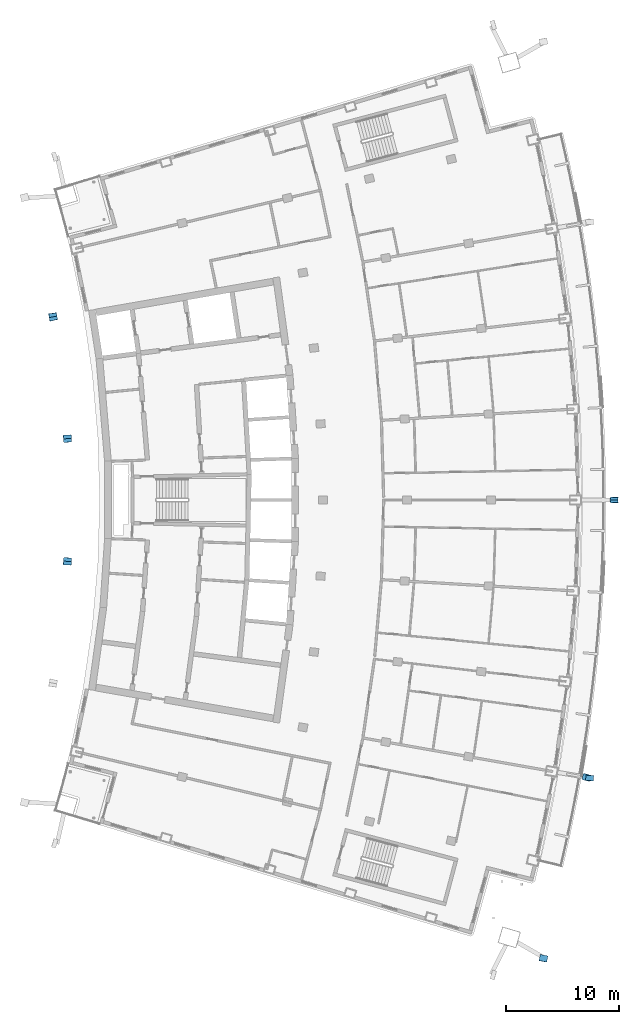
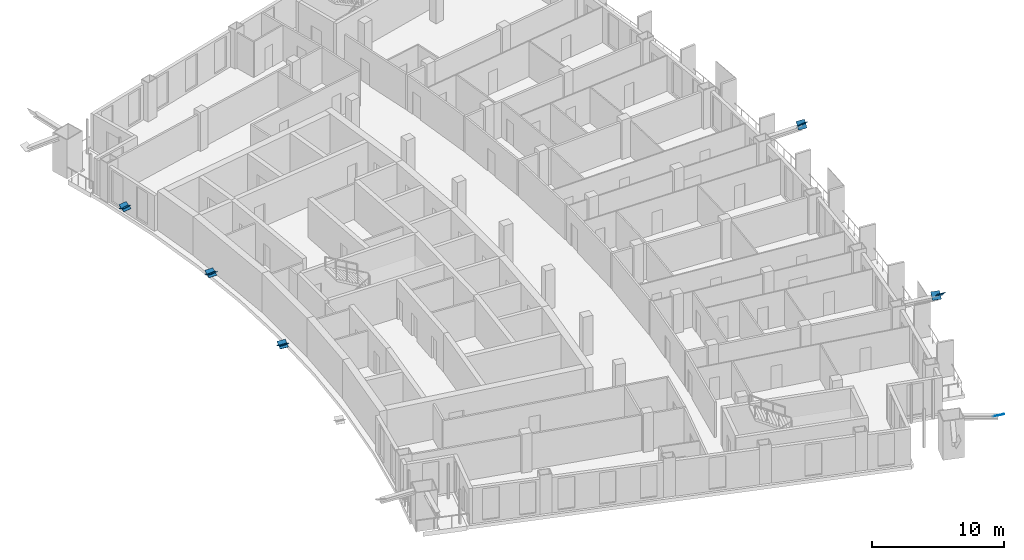
# One storey, part 17 of 21: 11 discrete accessories.
"""IFC4 building model written with IfcOpenShell, lengths in metres."""

import ifcopenshell
import ifcopenshell.guid

model = None  # the IFC model being written
_history = None  # IfcOwnerHistory: only IFC2X3 demands one
_inside = {}  # id of a spatial element -> (the spatial element, [elements in it])
_under = {}  # id of a project, library or spatial element -> (it, [spatial elements below it])
_declared = {}  # id of a project -> (the project, [libraries it declares])
_typed = {}  # id of a type object -> (the type object, [elements of that type])
_made_of = {}  # id of a material, layer set ... -> (it, [elements and type objects made of it])


def new_model(schema):
    """Start an empty IFC model of exactly this schema.

    Asked for "IFC4X3", IfcOpenShell would pick the latest addendum, in which some entities
    have other attributes; the version numbers below select the first issue.
    IFC2X3 requires an IfcOwnerHistory on every rooted entity: one is made here for all.
    """
    global model, _history
    if schema == "IFC4X3":
        model = ifcopenshell.file(schema_version=(4, 3, 0, 0))
    else:
        model = ifcopenshell.file(schema=schema)
    _inside.clear()
    _under.clear()
    _declared.clear()
    _typed.clear()
    _made_of.clear()
    _history = None
    if model.schema == "IFC2X3":
        org = make("IfcOrganization", Name="unknown")
        user = make(
            "IfcPersonAndOrganization",
            ThePerson=make("IfcPerson", FamilyName="unknown"),
            TheOrganization=org,
        )
        app = make(
            "IfcApplication",
            ApplicationDeveloper=org,
            Version="unknown",
            ApplicationFullName="unknown",
            ApplicationIdentifier="unknown",
        )
        _history = make(
            "IfcOwnerHistory",
            OwningUser=user,
            OwningApplication=app,
            ChangeAction="ADDED",
            CreationDate=0,
        )
    return model


def make(cls, **values):
    """One entity of the class cls with the attributes given. An attribute that is None is left unset."""
    return model.create_entity(
        cls, **{name: value for name, value in values.items() if value is not None}
    )


def rooted(cls, **values):
    """An entity with a GlobalId (a new one), such as an element, a storey or a relation."""
    return make(cls, GlobalId=ifcopenshell.guid.new(), OwnerHistory=_history, **values)


def si_unit(unit_type, name, prefix=None):
    """IfcSIUnit, for example si_unit("LENGTHUNIT", "METRE", prefix="MILLI")."""
    return make("IfcSIUnit", UnitType=unit_type, Prefix=prefix, Name=name)


def assignment(units):
    """IfcUnitAssignment: the units of a project."""
    return None if units is None else make("IfcUnitAssignment", Units=units)


def point(xyz):
    """IfcCartesianPoint."""
    return None if xyz is None else make("IfcCartesianPoint", Coordinates=xyz)


def direction(xyz):
    """IfcDirection."""
    return None if xyz is None else make("IfcDirection", DirectionRatios=xyz)


def frame(location, z_axis=None, x_axis=None):
    """IfcAxis2Placement3D, a coordinate frame: its origin and axes. An axis left out is left unset."""
    return make(
        "IfcAxis2Placement3D",
        Location=point(location),
        Axis=direction(z_axis),
        RefDirection=direction(x_axis),
    )


def frame_2d(location, x_axis=None):
    """IfcAxis2Placement2D, a coordinate frame in the plane: its origin and x axis."""
    return make(
        "IfcAxis2Placement2D", Location=point(location), RefDirection=direction(x_axis)
    )


def origin():
    """The frame at (0, 0, 0) with its axes left unset."""
    return frame((0.0, 0.0, 0.0))


def origin_2d():
    """The frame at (0, 0) in the plane with its x axis left unset."""
    return frame_2d((0.0, 0.0))


def place(relative_to, where):
    """IfcLocalPlacement: puts the frame where relative to a parent placement (None: the world)."""
    return make(
        "IfcLocalPlacement", PlacementRelTo=relative_to, RelativePlacement=where
    )


def context(
    kind, dimensions, precision=None, world=None, true_north=None, identifier=None
):
    """IfcGeometricRepresentationContext, for example the 3D "Model" context."""
    return make(
        "IfcGeometricRepresentationContext",
        ContextIdentifier=identifier,
        ContextType=kind,
        CoordinateSpaceDimension=dimensions,
        Precision=precision,
        WorldCoordinateSystem=world,
        TrueNorth=true_north,
    )


def subcontext(parent, identifier, kind, view, scale=None):
    """IfcGeometricRepresentationSubContext, for example "Body" below "Model"."""
    return make(
        "IfcGeometricRepresentationSubContext",
        ContextIdentifier=identifier,
        ContextType=kind,
        ParentContext=parent,
        TargetScale=scale,
        TargetView=view,
    )


def project(units=None, contexts=None):
    """IfcProject with its units and contexts."""
    return rooted(
        "IfcProject",
        Name="project",
        RepresentationContexts=contexts,
        UnitsInContext=assignment(units),
    )


def spatial(cls, under=None, at=None, **own):
    """A site, building, storey or space (cls), placed at a placement, below another one or the project."""
    s = rooted(cls, ObjectPlacement=at, **own)
    if under is not None:
        _under.setdefault(under.id(), (under, []))[1].append(s)
    return s


def profile(cls, at=None, kind="AREA", **sizes):
    """A parametric profile (cls). Its sizes go by their IFC names, for example OverallWidth=200.0."""
    return make(cls, ProfileType=kind, Position=at, **sizes)


def rectangle(**sizes):
    """IfcRectangleProfileDef."""
    return profile("IfcRectangleProfileDef", **sizes)


def extrude(swept, where, along, depth):
    """IfcExtrudedAreaSolid: the profile swept, set in the frame where, extruded along a direction by depth."""
    return make(
        "IfcExtrudedAreaSolid",
        SweptArea=swept,
        Position=where,
        ExtrudedDirection=direction(along),
        Depth=depth,
    )


def shape(context_of_items, identifier, shape_type, items):
    """IfcShapeRepresentation: the items that make up one representation, for example the "Body"."""
    return make(
        "IfcShapeRepresentation",
        ContextOfItems=context_of_items,
        RepresentationIdentifier=identifier,
        RepresentationType=shape_type,
        Items=items,
    )


def material(Name=None, Category=None):
    """IfcMaterial."""
    return make("IfcMaterial", Name=Name, Category=Category)


def material_profile(
    of_material, cross_section, Name=None, Category=None, Priority=None
):
    """IfcMaterialProfile: a cross section and its material."""
    return make(
        "IfcMaterialProfile",
        Name=Name,
        Material=of_material,
        Profile=cross_section,
        Priority=Priority,
        Category=Category,
    )


def profile_set(profiles, Name=None, composite=None):
    """IfcMaterialProfileSet."""
    return make(
        "IfcMaterialProfileSet",
        Name=Name,
        MaterialProfiles=profiles,
        CompositeProfile=composite,
    )


def made_of(thing, what):
    """Note that an element or type object is made of a material, layer set ...; save() writes the relation."""
    if what is not None:
        _made_of.setdefault(what.id(), (what, []))[1].append(thing)
    return thing


def type_object(cls, material=None, **own):
    """A type object (cls), such as IfcWallType, which elements share."""
    return made_of(rooted(cls, **own), material)


def element(
    cls,
    number,
    at=None,
    inside=None,
    cuts=None,
    type_object=None,
    material=None,
    context=None,
    identifier="Body",
    shape_type=None,
    held_by="IfcProductDefinitionShape",
    body=None,
    shapes=None,
    **own,
):
    """One element of the class cls, such as IfcWall. Its Tag is "e" and its number.

    at: its placement. inside: the storey or other place that contains it. cuts: it is an
    opening in that element (IfcRelVoidsElement). A single representation is given by context,
    identifier, shape_type and body (its items); several are given by shapes. held_by: the class
    of the entity that holds the representations. save() writes the other relations.
    """
    e = rooted(cls, Tag="e%d" % number, ObjectPlacement=at, **own)
    if body is not None:
        shapes = [shape(context, identifier, shape_type, body)]
    if shapes is not None:
        e.Representation = make(held_by, Representations=shapes)
    if inside is not None:
        _inside.setdefault(inside.id(), (inside, []))[1].append(e)
    if cuts is not None:
        rooted(
            "IfcRelVoidsElement", RelatingBuildingElement=cuts, RelatedOpeningElement=e
        )
    if type_object is not None:
        _typed.setdefault(type_object.id(), (type_object, []))[1].append(e)
    return made_of(e, material)


def aggregate(whole, parts):
    """IfcRelAggregates: a whole, such as a stair, and the parts it consists of."""
    return rooted("IfcRelAggregates", RelatingObject=whole, RelatedObjects=parts)


def save(model, path):
    """Write the relations noted so far, then the file.

    IfcRelAggregates (storeys below a building ...), IfcRelContainedInSpatialStructure (elements
    in a storey), IfcRelDefinesByType, IfcRelAssociatesMaterial and IfcRelDeclares: one each for
    every whole, place, type object, material and project.
    """
    for whole, parts in _under.values():
        aggregate(whole, parts)
    for where, things in _inside.values():
        rooted(
            "IfcRelContainedInSpatialStructure",
            RelatedElements=things,
            RelatingStructure=where,
        )
    for kind, things in _typed.values():
        rooted("IfcRelDefinesByType", RelatedObjects=things, RelatingType=kind)
    for what, things in _made_of.values():
        rooted("IfcRelAssociatesMaterial", RelatedObjects=things, RelatingMaterial=what)
    for by, libraries in _declared.values():
        rooted("IfcRelDeclares", RelatingContext=by, RelatedDefinitions=libraries)
    model.write(path)


model = new_model("IFC4")

# Units and contexts
model_context = context("Model", 3, precision=1e-05, world=origin(), true_north=direction((0.0, 1.0)))
body_context = subcontext(model_context, "Body", "Model", "MODEL_VIEW")
ifc_project = project(units=[si_unit("LENGTHUNIT", "METRE"), si_unit("AREAUNIT", "SQUARE_METRE"), si_unit("VOLUMEUNIT", "CUBIC_METRE"), si_unit("PLANEANGLEUNIT", "RADIAN"), si_unit("MASSUNIT", "GRAM", prefix="KILO")], contexts=[model_context])

# Site, building, storey
site_placement = place(None, origin())
site = spatial("IfcSite", under=ifc_project, at=site_placement, CompositionType="ELEMENT")
building_placement = place(site_placement, origin())
building = spatial("IfcBuilding", under=site, at=building_placement, Name="Alderwake Tower", CompositionType="ELEMENT")
storey_placement = place(building_placement, frame((0.0, 0.0, 207.199951171875)))
storey = spatial("IfcBuildingStorey", under=building, at=storey_placement, Name="L51", CompositionType="ELEMENT", Elevation=207.199951171875)

# Discrete accessories
ifc_material = material(Name="Steel ASTM A572 Grade 50", Category="steel")
ifc_material_profile = material_profile(ifc_material, rectangle(XDim=0.699951171875, YDim=0.699951171875, at=origin_2d()), Name="BOX 700X700X45 cap")
ifc_profile_set = profile_set([ifc_material_profile], Name="Steel ASTM A572 Grade 50")
discrete_accessory_type = type_object("IfcDiscreteAccessoryType", Name="End cap plate BOX 700X700X45", PredefinedType="USERDEFINED", material=ifc_profile_set)
for number, where, z_axis, x_axis, name in (
    (1, (55.3662109375, 20.359130859375, 3.60009765625), (-0.121834506274, -0.592927930535, -0.795985440993), (0.979534918634, -0.20127429835, 0.0), "End cap BRF4.2.2A S"),
    (2, (59.1767578125, 36.392333984375, 3.60009765625), (0.154369542892, 0.584979320433, -0.796221852811), (-0.966900358349, 0.255154261231, 0.0), "End cap BRF4.2.2B1 S"),
    (3, (59.466552734375, 36.341064453125, 3.60009765625), (-0.048890485065, -0.749654104333, -0.66002154838), (0.997880105966, -0.065079137346, 0.0), "End cap BRF4.2.4A S"),
    (4, (61.6298828125, 61.0, 3.60009765625), (0.07322641444, 0.748536680943, -0.65903772996), (-0.995249100669, 0.097361325065, 0.0), "End cap BRF4.2.4B1 S"),
    (5, (61.6298828125, 61.0, 3.60009765625), (0.07322641444, -0.748536680943, -0.65903772996), (0.995249100669, 0.097361325065, 0.0), "End cap BRF4.2.7A S"),
    (6, (13.141357421875, 55.560546875, 3.60009765625), (0.048728980643, 0.446682322562, -0.893364645123), (-0.994102176608, 0.108447510175, 0.0), "End cap BRR4.2.4B1 S"),
    (7, (13.141357421875, 55.560546875, 3.60009765625), (0.0, -0.4472135955, -0.894427191), (1.0, 0.0, 0.0), "End cap BRR4.2.6A S"),
    (8, (13.141357421875, 66.439453125, 3.60009765625), (0.0, 0.4472135955, -0.894427191), (-1.0, 0.0, 0.0), "End cap BRR4.2.6B1 S"),
    (9, (13.141357421875, 66.439453125, 3.60009765625), (0.048728980643, -0.446682322562, -0.893364645123), (0.994102176608, 0.108447510175, 0.0), "End cap BRR4.2.8A S"),
    (10, (11.875, 77.244384765625, 3.60009765625), (-0.056826119483, 0.446490938798, -0.892981877596), (-0.991997911724, -0.126254279674, 0.0), "End cap BRR4.2.8B1 S"),
    (11, (11.875, 77.244384765625, 3.60009765625), (0.105495990526, -0.438214114494, -0.892658381376), (0.972223637158, 0.234053838575, 0.0), "End cap BRR4.2.10A S"),
):
    element("IfcDiscreteAccessory", number, at=place(storey_placement, frame(where, z_axis=z_axis, x_axis=x_axis)), inside=storey, type_object=discrete_accessory_type, Name=name, ObjectType="END CAP", PredefinedType="USERDEFINED", context=body_context, shape_type="SweptSolid", body=[
        extrude(rectangle(XDim=0.699951171875, YDim=0.699951171875, at=origin_2d()), origin(), (0.0, 0.0, 1.0), 0.030029296875),
    ])

save(model, "model.ifc")
